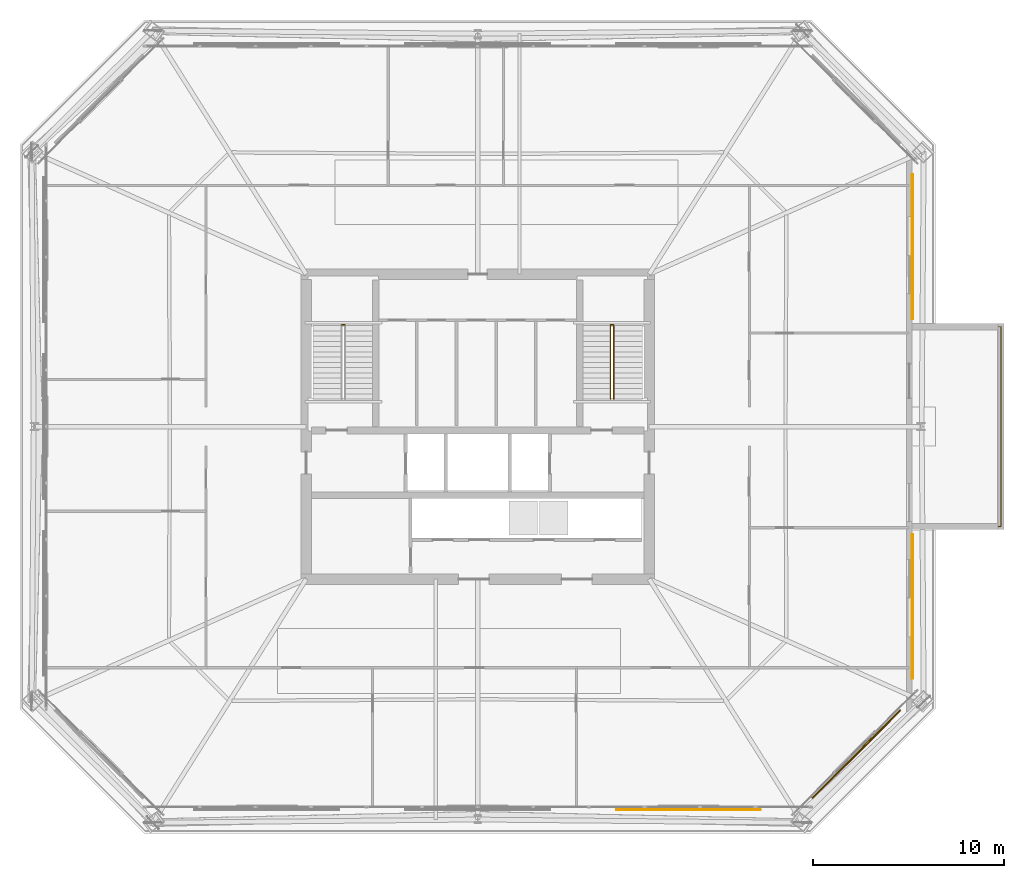
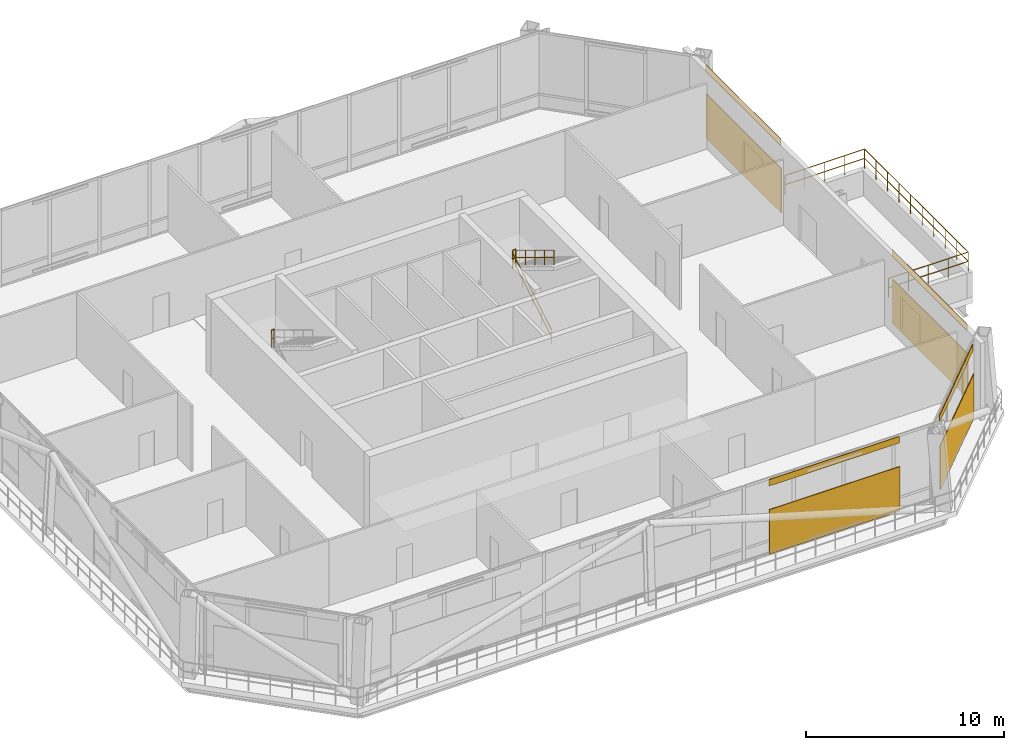
# One storey, part 32 of 34: 5 railings, 4 coverings, 4 shading devices.
"""IFC4 building model written with IfcOpenShell, lengths in metres."""

from ifc_helpers import new_model, si_unit, direction, frame, origin, origin_2d, place, context, subcontext, project, spatial, rectangle, circle, extrude, material, layer, layer_set, type_object, element, save


model = new_model("IFC4")

# Units and contexts
model_context = context("Model", 3, precision=1e-05, world=origin(), true_north=direction((0.0, 1.0)))
body_context = subcontext(model_context, "Body", "Model", "MODEL_VIEW")
ifc_project = project(units=[si_unit("LENGTHUNIT", "METRE"), si_unit("AREAUNIT", "SQUARE_METRE"), si_unit("VOLUMEUNIT", "CUBIC_METRE"), si_unit("PLANEANGLEUNIT", "RADIAN"), si_unit("MASSUNIT", "GRAM", prefix="KILO")], contexts=[model_context])

# Site, building, storey
site_placement = place(None, origin())
site = spatial("IfcSite", under=ifc_project, at=site_placement, CompositionType="ELEMENT")
building_placement = place(site_placement, origin())
building = spatial("IfcBuilding", under=site, at=building_placement, Name="Caelvoria Tower", CompositionType="ELEMENT")
storey_placement = place(building_placement, frame((0.0, 0.0, 172.0)))
storey = spatial("IfcBuildingStorey", under=building, at=storey_placement, Name="L45", CompositionType="ELEMENT", Elevation=172.0)

# Coverings
ifc_material_1 = material(Name="Perforated Architectural Bronze Cladding Screen", Category="bronze")
ifc_layer_1 = layer(ifc_material_1, 0.0400390625, Name="Perforated Architectural Bronze Cladding Screen")
ifc_layer_set_1 = layer_set([ifc_layer_1], Name="Perforated Bronze Louvre Cladding Band 40 - Perforated Architectural Bronze Cladding Screen")
covering_type = type_object("IfcCoveringType", Name="Perforated Bronze Louvre Cladding Band 40", PredefinedType="CLADDING", material=ifc_layer_set_1)
covering_1_placement = place(storey_placement, frame((57.066650390625, 11.93798828125, 4.340087890625), z_axis=(0.0, 0.0, 1.0), x_axis=(1.0, 0.0, 0.0)))
element("IfcCovering", 1, at=covering_1_placement, inside=storey, type_object=covering_type, Name="Perforated Bronze Screen Band L45-E0-02", PredefinedType="CLADDING", context=body_context, shape_type="SweptSolid", body=[
    extrude(rectangle(XDim=7.60009765625, YDim=0.0400390625, at=origin_2d()), origin(), (0.0, 0.0, 1.0), 0.39990234375),
])
covering_2_placement = place(storey_placement, frame((65.856201171875, 14.82373046875, 4.340087890625), z_axis=(0.0, 0.0, 1.0), x_axis=(0.707106781187, 0.707106781187, 0.0)))
element("IfcCovering", 2, at=covering_2_placement, inside=storey, type_object=covering_type, Name="Perforated Bronze Screen Band L45-E1-00", PredefinedType="CLADDING", context=body_context, shape_type="SweptSolid", body=[
    extrude(rectangle(XDim=6.5302734375, YDim=0.0400390625, at=origin_2d()), origin(), (0.0, 0.0, 1.0), 0.39990234375),
])
for number, where, z_axis, x_axis, name in (
    (3, (68.7919921875, 22.56005859375, 4.340087890625), (0.0, 0.0, 1.0), (0.0, 1.0, 0.0), "Perforated Bronze Screen Band L45-E2-00"),
    (4, (68.7919921875, 41.43994140625, 4.340087890625), (0.0, 0.0, 1.0), (0.0, 1.0, 0.0), "Perforated Bronze Screen Band L45-E2-02"),
):
    element("IfcCovering", number, at=place(storey_placement, frame(where, z_axis=z_axis, x_axis=x_axis)), inside=storey, type_object=covering_type, Name=name, PredefinedType="CLADDING", context=body_context, shape_type="SweptSolid", body=[
        extrude(rectangle(XDim=7.60009765625, YDim=0.0400390625, at=origin_2d()), origin(), (0.0, 0.0, 1.0), 0.39990234375),
    ])

# Shading devices
ifc_material_2 = material(Name="Perforated Architectural Bronze Alloy Panel", Category="bronze")
ifc_layer_2 = layer(ifc_material_2, 0.044921875, Name="Perforated Architectural Bronze Alloy Panel")
ifc_layer_set_2 = layer_set([ifc_layer_2], Name="Perforated Bronze Solar Screen Panel SCREEN - Perforated Architectural Bronze Alloy Panel")
shading_device_type = type_object("IfcShadingDeviceType", Name="Perforated Bronze Solar Screen Panel SCREEN", PredefinedType="USERDEFINED", material=ifc_layer_set_2)
shading_device_1_placement = place(storey_placement, frame((57.066650390625, 11.89501953125, 0.159912109375), z_axis=(0.0, 0.0, 1.0), x_axis=(1.0, 0.0, 0.0)))
element("IfcShadingDevice", 5, at=shading_device_1_placement, inside=storey, type_object=shading_device_type, Name="Perforated Bronze Solar Screen L45-E0-02", ObjectType="SCREEN", PredefinedType="USERDEFINED", context=body_context, shape_type="SweptSolid", body=[
    extrude(rectangle(XDim=7.60009765625, YDim=0.044921875, at=origin_2d()), origin(), (0.0, 0.0, 1.0), 2.75),
])
shading_device_2_placement = place(storey_placement, frame((65.88671875, 14.793212890625, 0.159912109375), z_axis=(0.0, 0.0, 1.0), x_axis=(0.707106781187, 0.707106781187, 0.0)))
element("IfcShadingDevice", 6, at=shading_device_2_placement, inside=storey, type_object=shading_device_type, Name="Perforated Bronze Solar Screen L45-E1-00", ObjectType="SCREEN", PredefinedType="USERDEFINED", context=body_context, shape_type="SweptSolid", body=[
    extrude(rectangle(XDim=6.5302734375, YDim=0.044921875, at=origin_2d()), origin(), (0.0, 0.0, 1.0), 2.75),
])
for number, where, z_axis, x_axis, name in (
    (7, (68.8349609375, 22.56005859375, 0.159912109375), (0.0, 0.0, 1.0), (0.0, 1.0, 0.0), "Perforated Bronze Solar Screen L45-E2-00"),
    (8, (68.8349609375, 41.43994140625, 0.159912109375), (0.0, 0.0, 1.0), (0.0, 1.0, 0.0), "Perforated Bronze Solar Screen L45-E2-02"),
):
    element("IfcShadingDevice", number, at=place(storey_placement, frame(where, z_axis=z_axis, x_axis=x_axis)), inside=storey, type_object=shading_device_type, Name=name, ObjectType="SCREEN", PredefinedType="USERDEFINED", context=body_context, shape_type="SweptSolid", body=[
        extrude(rectangle(XDim=7.60009765625, YDim=0.044921875, at=origin_2d()), origin(), (0.0, 0.0, 1.0), 2.75),
    ])

# Railings
ifc_material_3 = material(Name="Laminated Structural Glass and Bronze Cap Rail", Category="glass")
railing_type_1 = type_object("IfcRailingType", Name="Sky Pool and Podium Glazed Balustrade 1200", PredefinedType="BALUSTRADE", material=ifc_material_3)
railing_1_placement = place(storey_placement, frame((68.800048828125, 26.760009765625, 1.550048828125)))
element("IfcRailing", 9, at=railing_1_placement, inside=storey, type_object=railing_type_1, Name="Sky Pool Perimeter Glazed Balustrade", PredefinedType="BALUSTRADE", context=body_context, shape_type="SweptSolid", body=[
    extrude(circle(Radius=0.02392578125, at=origin_2d()), frame((0.0, 0.0, 1.17578125), z_axis=(1.0, 0.0, 0.0), x_axis=(0.0, 1.0, 0.0)), (0.0, 0.0, 1.0), 4.659912109375),
    extrude(circle(Radius=0.02392578125, at=origin_2d()), frame((0.0, 0.0, 0.60009765625), z_axis=(1.0, 0.0, 0.0), x_axis=(0.0, 1.0, 0.0)), (0.0, 0.0, 1.0), 4.659912109375),
    extrude(circle(Radius=0.02392578125, at=origin_2d()), frame((4.659912109375, 0.0, 1.17578125), z_axis=(0.0, 1.0, 0.0), x_axis=(-1.0, 0.0, 0.0)), (0.0, 0.0, 1.0), 10.47998046875),
    extrude(circle(Radius=0.02392578125, at=origin_2d()), frame((4.659912109375, 0.0, 0.60009765625), z_axis=(0.0, 1.0, 0.0), x_axis=(-1.0, 0.0, 0.0)), (0.0, 0.0, 1.0), 10.47998046875),
    extrude(circle(Radius=0.02392578125, at=origin_2d()), frame((4.659912109375, 10.47998046875, 1.17578125), z_axis=(-1.0, 0.0, 0.0), x_axis=(0.0, -1.0, 0.0)), (0.0, 0.0, 1.0), 4.659912109375),
    extrude(circle(Radius=0.02392578125, at=origin_2d()), frame((4.659912109375, 10.47998046875, 0.60009765625), z_axis=(-1.0, 0.0, 0.0), x_axis=(0.0, -1.0, 0.0)), (0.0, 0.0, 1.0), 4.659912109375),
    extrude(circle(Radius=0.02099609375, at=origin_2d()), origin(), (0.0, 0.0, 1.0), 1.15185546875),
    extrude(circle(Radius=0.02099609375, at=origin_2d()), frame((1.1650390625, 0.0, 0.0)), (0.0, 0.0, 1.0), 1.15185546875),
    extrude(circle(Radius=0.02099609375, at=origin_2d()), frame((2.330078125, 0.0, 0.0)), (0.0, 0.0, 1.0), 1.15185546875),
    extrude(circle(Radius=0.02099609375, at=origin_2d()), frame((3.494873046875, 0.0, 0.0)), (0.0, 0.0, 1.0), 1.15185546875),
    extrude(circle(Radius=0.02099609375, at=origin_2d()), frame((4.659912109375, 0.0, 0.0)), (0.0, 0.0, 1.0), 1.15185546875),
    extrude(circle(Radius=0.02099609375, at=origin_2d()), frame((4.659912109375, 1.16455078125, 0.0)), (0.0, 0.0, 1.0), 1.15185546875),
    extrude(circle(Radius=0.02099609375, at=origin_2d()), frame((4.659912109375, 2.328857421875, 0.0)), (0.0, 0.0, 1.0), 1.15185546875),
    extrude(circle(Radius=0.02099609375, at=origin_2d()), frame((4.659912109375, 3.493408203125, 0.0)), (0.0, 0.0, 1.0), 1.15185546875),
    extrude(circle(Radius=0.02099609375, at=origin_2d()), frame((4.659912109375, 4.65771484375, 0.0)), (0.0, 0.0, 1.0), 1.15185546875),
    extrude(circle(Radius=0.02099609375, at=origin_2d()), frame((4.659912109375, 5.822265625, 0.0)), (0.0, 0.0, 1.0), 1.15185546875),
    extrude(circle(Radius=0.02099609375, at=origin_2d()), frame((4.659912109375, 6.986572265625, 0.0)), (0.0, 0.0, 1.0), 1.15185546875),
    extrude(circle(Radius=0.02099609375, at=origin_2d()), frame((4.659912109375, 8.151123046875, 0.0)), (0.0, 0.0, 1.0), 1.15185546875),
    extrude(circle(Radius=0.02099609375, at=origin_2d()), frame((4.659912109375, 9.3154296875, 0.0)), (0.0, 0.0, 1.0), 1.15185546875),
    extrude(circle(Radius=0.02099609375, at=origin_2d()), frame((4.659912109375, 10.47998046875, 0.0)), (0.0, 0.0, 1.0), 1.15185546875),
    extrude(circle(Radius=0.02099609375, at=origin_2d()), frame((3.494873046875, 10.47998046875, 0.0)), (0.0, 0.0, 1.0), 1.15185546875),
    extrude(circle(Radius=0.02099609375, at=origin_2d()), frame((2.330078125, 10.47998046875, 0.0)), (0.0, 0.0, 1.0), 1.15185546875),
    extrude(circle(Radius=0.02099609375, at=origin_2d()), frame((1.1650390625, 10.47998046875, 0.0)), (0.0, 0.0, 1.0), 1.15185546875),
    extrude(circle(Radius=0.02099609375, at=origin_2d()), frame((0.0, 10.47998046875, 0.0)), (0.0, 0.0, 1.0), 1.15185546875),
])
ifc_material_4 = material(Name="Brushed Stainless Steel Tube", Category="steel")
railing_type_2 = type_object("IfcRailingType", Name="Stair Tubular Stainless Handrail 920", PredefinedType="HANDRAIL", material=ifc_material_4)
railing_2_placement = place(storey_placement, frame((52.969970703125, 33.449951171875, 0.166748046875)))
element("IfcRailing", 10, at=railing_2_placement, inside=storey, type_object=railing_type_2, Name="ST-02 Flight 1 Handrail L45", PredefinedType="HANDRAIL", context=body_context, shape_type="SweptSolid", body=[
    extrude(circle(Radius=0.02392578125, at=origin_2d()), frame((0.0, 0.0, 0.89599609375), z_axis=(0.0, 0.855211671081, 0.518278880185), x_axis=(-1.0, 0.0, 0.0)), (0.0, 0.0, 1.0), 4.501953125),
    extrude(circle(Radius=0.02392578125, at=origin_2d()), frame((0.0, 0.0, 0.4599609375), z_axis=(0.0, 0.855211671081, 0.518278880185), x_axis=(-1.0, 0.0, 0.0)), (0.0, 0.0, 1.0), 4.501953125),
    extrude(circle(Radius=0.02099609375, at=origin_2d()), origin(), (0.0, 0.0, 1.0), 0.871826171875),
    extrude(circle(Radius=0.02099609375, at=origin_2d()), frame((0.0, 0.96240234375, 0.583251953125)), (0.0, 0.0, 1.0), 0.871826171875),
    extrude(circle(Radius=0.02099609375, at=origin_2d()), frame((0.0, 1.925048828125, 1.16650390625)), (0.0, 0.0, 1.0), 0.871826171875),
    extrude(circle(Radius=0.02099609375, at=origin_2d()), frame((0.0, 2.8876953125, 1.75)), (0.0, 0.0, 1.0), 0.871826171875),
    extrude(circle(Radius=0.02099609375, at=origin_2d()), frame((0.0, 3.85009765625, 2.333251953125)), (0.0, 0.0, 1.0), 0.871826171875),
])
railing_3_placement = place(storey_placement, frame((53.1298828125, 37.300048828125, 2.666748046875)))
element("IfcRailing", 11, at=railing_3_placement, inside=storey, type_object=railing_type_2, Name="ST-02 Flight 2 Handrail L45", PredefinedType="HANDRAIL", context=body_context, shape_type="SweptSolid", body=[
    extrude(circle(Radius=0.02392578125, at=origin_2d()), frame((0.0, 0.0, 0.89599609375), z_axis=(0.0, -0.855211671081, 0.518278880185), x_axis=(1.0, 0.0, 0.0)), (0.0, 0.0, 1.0), 4.501953125),
    extrude(circle(Radius=0.02392578125, at=origin_2d()), frame((0.0, 0.0, 0.4599609375), z_axis=(0.0, -0.855211671081, 0.518278880185), x_axis=(1.0, 0.0, 0.0)), (0.0, 0.0, 1.0), 4.501953125),
    extrude(circle(Radius=0.02099609375, at=origin_2d()), origin(), (0.0, 0.0, 1.0), 0.871826171875),
    extrude(circle(Radius=0.02099609375, at=origin_2d()), frame((0.0, -0.96240234375, 0.583251953125)), (0.0, 0.0, 1.0), 0.871826171875),
    extrude(circle(Radius=0.02099609375, at=origin_2d()), frame((0.0, -1.925048828125, 1.16650390625)), (0.0, 0.0, 1.0), 0.871826171875),
    extrude(circle(Radius=0.02099609375, at=origin_2d()), frame((0.0, -2.8876953125, 1.75)), (0.0, 0.0, 1.0), 0.871826171875),
    extrude(circle(Radius=0.02099609375, at=origin_2d()), frame((0.0, -3.85009765625, 2.333251953125)), (0.0, 0.0, 1.0), 0.871826171875),
])
ifc_material_5 = material(Name="Brushed Stainless Steel Guardrail", Category="steel")
railing_type_3 = type_object("IfcRailingType", Name="Stair Well and Ramp Guardrail 1120", PredefinedType="GUARDRAIL", material=ifc_material_5)
for number, where, name in (
    (12, (38.8701171875, 37.340087890625, 2.5), "ST-01 Half-Landing Well Guard L45"),
    (13, (52.969970703125, 37.340087890625, 2.5), "ST-02 Half-Landing Well Guard L45"),
):
    element("IfcRailing", number, at=place(storey_placement, frame(where)), inside=storey, type_object=railing_type_3, Name=name, PredefinedType="GUARDRAIL", context=body_context, shape_type="SweptSolid", body=[
        extrude(circle(Radius=0.02392578125, at=origin_2d()), frame((0.0, 0.0, 1.09619140625), z_axis=(1.0, 0.0, 0.0), x_axis=(0.0, 1.0, 0.0)), (0.0, 0.0, 1.0), 0.159912109375),
        extrude(circle(Radius=0.02392578125, at=origin_2d()), frame((0.0, 0.0, 0.56005859375), z_axis=(1.0, 0.0, 0.0), x_axis=(0.0, 1.0, 0.0)), (0.0, 0.0, 1.0), 0.159912109375),
        extrude(circle(Radius=0.02099609375, at=origin_2d()), origin(), (0.0, 0.0, 1.0), 1.072021484375),
        extrude(circle(Radius=0.02099609375, at=origin_2d()), frame((0.159912109375, 0.0, 0.0)), (0.0, 0.0, 1.0), 1.072021484375),
    ])

save(model, "model.ifc")
